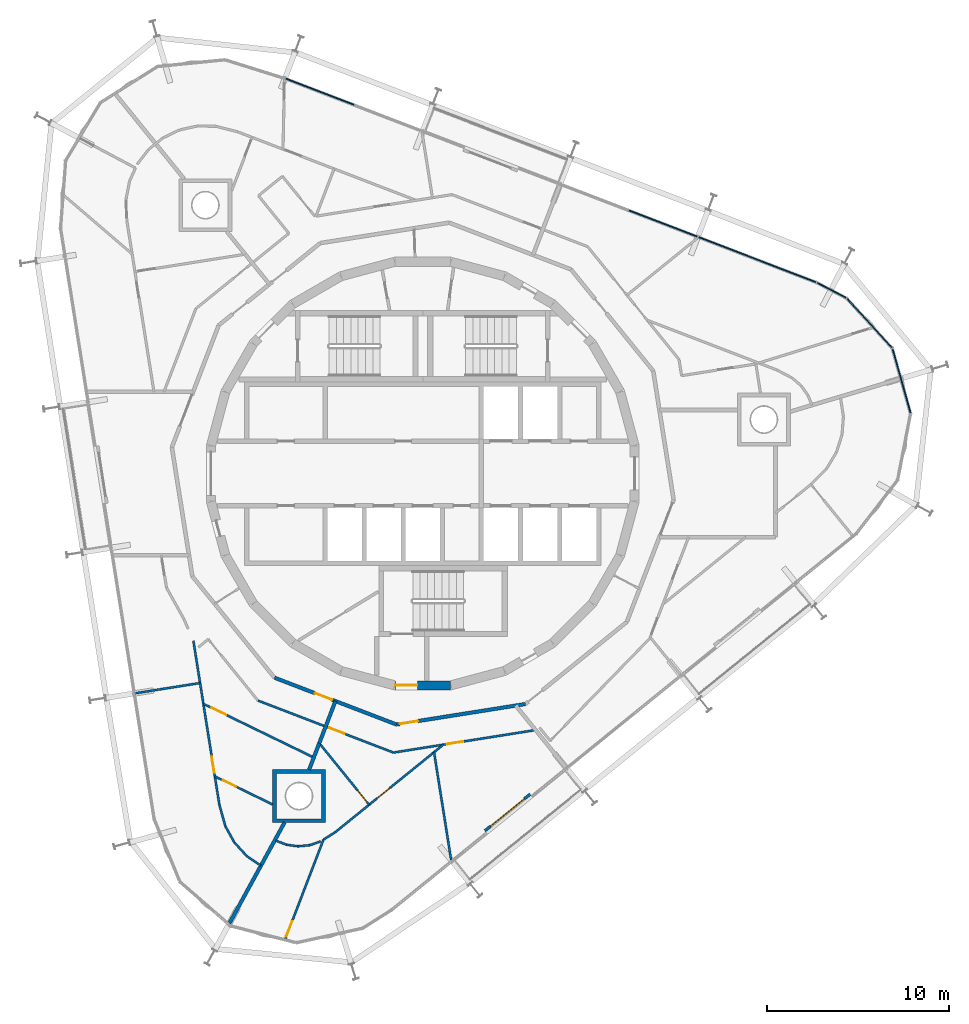
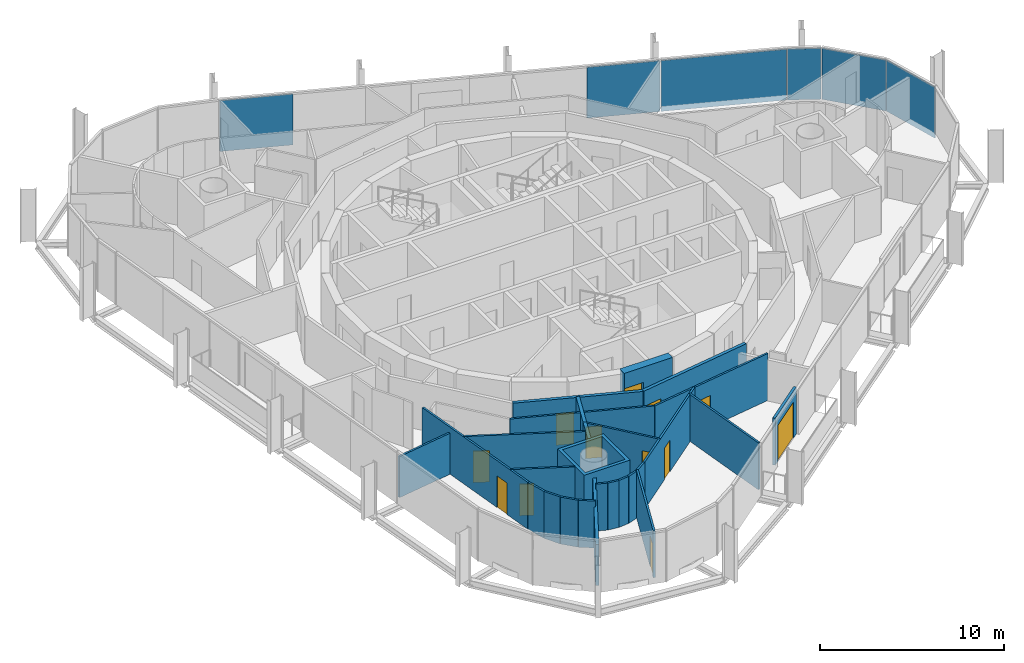
# One storey, part 11 of 17: 27 walls, 12 doors, 6 plates, 12 openings, 2 elements without a shape of their own.
"""IFC4 building model written with IfcOpenShell, lengths in metres."""

from ifc_helpers import new_model, si_unit, direction, frame, frame_2d, origin, origin_2d, place, context, subcontext, project, spatial, polyline, rectangle, outline, extrude, material, layer, layer_set, type_object, element, fill, aggregate, save


model = new_model("IFC4")

# Units and contexts
model_context = context("Model", 3, precision=1e-05, world=origin(), true_north=direction((0.0, 1.0)))
body_context = subcontext(model_context, "Body", "Model", "MODEL_VIEW")
ifc_project = project(units=[si_unit("LENGTHUNIT", "METRE"), si_unit("AREAUNIT", "SQUARE_METRE"), si_unit("VOLUMEUNIT", "CUBIC_METRE"), si_unit("PLANEANGLEUNIT", "RADIAN"), si_unit("MASSUNIT", "GRAM", prefix="KILO")], contexts=[model_context])

# Site, building, storey
site_placement = place(None, origin())
site = spatial("IfcSite", under=ifc_project, at=site_placement, CompositionType="ELEMENT")
building_placement = place(site_placement, origin())
building = spatial("IfcBuilding", under=site, at=building_placement, Name="Spindle Arch Residences", CompositionType="ELEMENT")
storey_placement = place(building_placement, frame((0.0, 0.0, 284.39990234375)))
storey = spatial("IfcBuildingStorey", under=building, at=storey_placement, Name="L73", CompositionType="ELEMENT", Elevation=284.39990234375)

# Curtain wall, plates
ifc_material_1 = material(Name="Aluminium bronze unitised frame with tinted glass", Category="aluminium")
ifc_layer_1 = layer(ifc_material_1, 0.159912109375)
ifc_layer_set_1 = layer_set([ifc_layer_1], Name="CW-D corner wall on the fillet arcs")
curtain_wall_type_1 = type_object("IfcCurtainWallType", Name="CW-D corner wall on the fillet arcs", PredefinedType="NOTDEFINED", material=ifc_layer_set_1)
curtain_wall_1_placement = place(storey_placement, origin())
curtain_wall_1 = element("IfcCurtainWall", 1, at=curtain_wall_1_placement, inside=storey, type_object=curtain_wall_type_1, Name="CW-D L73 run 1", PredefinedType="NOTDEFINED")
ifc_material_2 = material(Name="Tinted double glazing over non-combustible spandrel zone with 0.55 mm stainless steel cavity fire stop (K0)", Category="steel")
ifc_layer_2 = layer(ifc_material_2, 0.070068359375)
ifc_layer_set_2 = layer_set([ifc_layer_2], Name="Unitised glass panel with spandrel zone and stainless cavity fire stop")
plate_type = type_object("IfcPlateType", Name="Unitised glass panel with spandrel zone and stainless cavity fire stop", PredefinedType="CURTAIN_PANEL", material=ifc_layer_set_2)
plate_1_placement = place(storey_placement, frame((26.32958984375, 5.09423828125, -0.3798828125), z_axis=(0.0, 0.0, 1.0), x_axis=(-0.270040328007, 0.962849012696, 0.0)))
plate_1 = element("IfcPlate", 2, at=plate_1_placement, type_object=plate_type, Name="CW-D unit 03", PredefinedType="CURTAIN_PANEL", context=body_context, shape_type="SweptSolid", body=[
    extrude(rectangle(XDim=3.666748046875, YDim=0.070068359375, at=origin_2d()), origin(), (0.0, 0.0, 1.0), 3.3798828125),
])
plate_2_placement = place(storey_placement, frame((24.571533203125, 8.265869140625, -0.3798828125), z_axis=(0.0, 0.0, 1.0), x_axis=(-0.673442702134, 0.73923942464, 0.0)))
plate_2 = element("IfcPlate", 3, at=plate_2_placement, type_object=plate_type, Name="CW-D unit 04", PredefinedType="CURTAIN_PANEL", context=body_context, shape_type="SweptSolid", body=[
    extrude(rectangle(XDim=3.666748046875, YDim=0.070068359375, at=origin_2d()), origin(), (0.0, 0.0, 1.0), 3.3798828125),
])
plate_3_placement = place(storey_placement, frame((22.48583984375, 10.078857421875, -0.3798828125), z_axis=(0.0, 0.0, 1.0), x_axis=(-0.885663912754, 0.464326860783, 0.0)))
plate_3 = element("IfcPlate", 4, at=plate_3_placement, type_object=plate_type, Name="CW-D unit 05", PredefinedType="CURTAIN_PANEL", context=body_context, shape_type="SweptSolid", body=[
    extrude(rectangle(XDim=1.816162109375, YDim=0.070068359375, at=origin_2d()), origin(), (0.0, 0.0, 1.0), 3.3798828125),
])
plate_4_placement = place(storey_placement, frame((18.392333984375, 11.76708984375, -0.3798828125), z_axis=(0.0, 0.0, 1.0), x_axis=(-0.933580426497, 0.358367949545, 0.0)))
plate_4 = element("IfcPlate", 5, at=plate_4_placement, type_object=plate_type, Name="CW-D unit 06", PredefinedType="CURTAIN_PANEL", context=body_context, shape_type="SweptSolid", body=[
    extrude(rectangle(XDim=6.9296875, YDim=0.070068359375, at=origin_2d()), origin(), (0.0, 0.0, 1.0), 3.3798828125),
])
aggregate(curtain_wall_1, [plate_1, plate_2, plate_3, plate_4])

ifc_material_3 = material(Name="Aluminium bronze unitised frame with tinted glass", Category="aluminium")
ifc_layer_3 = layer(ifc_material_3, 0.159912109375)
ifc_layer_set_3 = layer_set([ifc_layer_3], Name="CW-C typical residential unitised wall")
curtain_wall_type_2 = type_object("IfcCurtainWallType", Name="CW-C typical residential unitised wall", PredefinedType="NOTDEFINED", material=ifc_layer_set_3)
curtain_wall_2_placement = place(storey_placement, origin())
curtain_wall_2 = element("IfcCurtainWall", 6, at=curtain_wall_2_placement, inside=storey, type_object=curtain_wall_type_2, Name="CW-C L73 run 2", PredefinedType="NOTDEFINED")
plate_5_placement = place(storey_placement, frame((13.22314453125, 13.751220703125, -0.3798828125), z_axis=(0.0, 0.0, 1.0), x_axis=(-0.933580426497, 0.358367949545, 0.0)))
plate_5 = element("IfcPlate", 7, at=plate_5_placement, type_object=plate_type, Name="CW-C unit 05A", PredefinedType="CURTAIN_PANEL", context=body_context, shape_type="SweptSolid", body=[
    extrude(rectangle(XDim=4.023681640625, YDim=0.070068359375, at=origin_2d()), origin(), (0.0, 0.0, 1.0), 3.3798828125),
])
plate_6_placement = place(storey_placement, frame((-5.67138671875, 21.004150390625, -0.3798828125), z_axis=(0.0, 0.0, 1.0), x_axis=(-0.933580426497, 0.358367949545, 0.0)))
plate_6 = element("IfcPlate", 8, at=plate_6_placement, type_object=plate_type, Name="CW-C unit 07B", PredefinedType="CURTAIN_PANEL", context=body_context, shape_type="SweptSolid", body=[
    extrude(rectangle(XDim=4.023681640625, YDim=0.070068359375, at=origin_2d()), origin(), (0.0, 0.0, 1.0), 3.3798828125),
])
aggregate(curtain_wall_2, [plate_5, plate_6])

# Wall, opening, door
ifc_material_4 = material(Name="Concrete C50/60", Category="concrete")
ifc_layer_4 = layer(ifc_material_4, 0.5)
ifc_layer_set_4 = layer_set([ifc_layer_4], Name="Core outline wall 500")
wall_type_1 = type_object("IfcWallType", Name="Core outline wall 500", PredefinedType="SHEAR", material=ifc_layer_set_4)
wall_1_placement = place(storey_placement, frame((-1.516357421875, -11.647216796875, 0.0), z_axis=(0.0, 0.0, 1.0), x_axis=(1.0, 0.0, 0.0)))
wall_1 = element("IfcWall", 9, at=wall_1_placement, inside=storey, type_object=wall_type_1, Name="Core outline wall 24", PredefinedType="SHEAR", context=body_context, shape_type="SweptSolid", body=[
    extrude(rectangle(XDim=3.03271484375, YDim=0.5, at=frame_2d((1.516357421875, 0.0))), origin(), (0.0, 0.0, 1.0), 3.1201171875),
])
opening_1_placement = place(wall_1_placement, frame((0.016357421875, 0.0, 0.0)))
opening_1 = element("IfcOpeningElement", 10, at=opening_1_placement, cuts=wall_1, Name="Opening R7C0-AD03", PredefinedType="OPENING", context=body_context, shape_type="SweptSolid", body=[
    extrude(rectangle(XDim=1.199951171875, YDim=2.10009765625, at=frame_2d((0.60009765625, 1.050048828125))), frame((0.0, 0.260009765625, 0.0), z_axis=(0.0, -1.0, 0.0), x_axis=(1.0, 0.0, 0.0)), (0.0, 0.0, 1.0), 0.52001953125),
])
ifc_material_5 = material(Name="Steel, fire-resisting door", Category="steel")
door_type_1 = type_object("IfcDoorType", Name="Stair airlock door 1200x2100", OperationType="SINGLE_SWING_LEFT", PredefinedType="DOOR", material=ifc_material_5)
door_1_placement = place(opening_1_placement, origin())
door_1 = element("IfcDoor", 11, at=door_1_placement, inside=storey, type_object=door_type_1, Name="Stair airlock door R7C0-AD03", OperationType="SINGLE_SWING_RIGHT", OverallHeight=2.10009765625, OverallWidth=1.199951171875, PredefinedType="DOOR", context=body_context, shape_type="SweptSolid", body=[
    extrude(rectangle(XDim=1.199951171875, YDim=2.10009765625, at=frame_2d((0.60009765625, 1.050048828125))), frame((0.0, 0.02490234375, 0.0), z_axis=(0.0, -1.0, 0.0), x_axis=(1.0, 0.0, 0.0)), (0.0, 0.0, 1.0), 0.050048828125),
])
fill(opening_1, door_1)

ifc_material_6 = material(Name="Calcium silicate block, plastered")
ifc_layer_5 = layer(ifc_material_6, 0.199951171875)
ifc_layer_set_5 = layer_set([ifc_layer_5], Name="Corridor wall 200")
wall_type_2 = type_object("IfcWallType", Name="Corridor wall 200", PredefinedType="STANDARD", material=ifc_layer_set_5)
wall_2_placement = place(storey_placement, frame((-8.154296875, -11.223388671875, 0.0), z_axis=(0.0, 0.0, 1.0), x_axis=(0.93359073609, -0.358341090983, 0.0)))
wall_2 = element("IfcWall", 12, at=wall_2_placement, inside=storey, type_object=wall_type_2, Name="Corridor wall R7C0-W013", PredefinedType="STANDARD", context=body_context, shape_type="SweptSolid", body=[
    extrude(rectangle(XDim=7.180908203125, YDim=0.199951171875, at=frame_2d((3.59033203125, 0.0))), origin(), (0.0, 0.0, 1.0), 3.1201171875),
])
opening_2_placement = place(wall_2_placement, frame((2.390380859375, 0.0, 0.0)))
opening_2 = element("IfcOpeningElement", 13, at=opening_2_placement, cuts=wall_2, Name="Opening R7C0-FD04", PredefinedType="OPENING", context=body_context, shape_type="SweptSolid", body=[
    extrude(rectangle(XDim=1.0, YDim=2.10009765625, at=frame_2d((0.5, 1.050048828125))), frame((0.0, 0.10986328125, 0.0), z_axis=(0.0, -1.0, 0.0), x_axis=(1.0, 0.0, 0.0)), (0.0, 0.0, 1.0), 0.219970703125),
])
ifc_material_7 = material(Name="Timber, fire-resisting door set", Category="wood")
door_type_2 = type_object("IfcDoorType", Name="Flat entrance door 1000x2100", OperationType="NOTDEFINED", PredefinedType="DOOR", material=ifc_material_7)
door_2_placement = place(opening_2_placement, origin())
door_2 = element("IfcDoor", 14, at=door_2_placement, inside=storey, type_object=door_type_2, Name="Flat entrance door R7C0-FD04", OperationType="SINGLE_SWING_RIGHT", OverallHeight=2.10009765625, OverallWidth=1.0, PredefinedType="DOOR", context=body_context, shape_type="SweptSolid", body=[
    extrude(rectangle(XDim=1.0, YDim=2.10009765625, at=frame_2d((0.5, 1.050048828125))), frame((0.0, 0.02490234375, 0.0), z_axis=(0.0, -1.0, 0.0), x_axis=(1.0, 0.0, 0.0)), (0.0, 0.0, 1.0), 0.050048828125),
])
fill(opening_2, door_2)

wall_3_placement = place(storey_placement, frame((-1.4501953125, -13.796630859375, 0.0), z_axis=(0.0, 0.0, 1.0), x_axis=(0.987690361611, 0.156421704315, 0.0)))
wall_3 = element("IfcWall", 15, at=wall_3_placement, inside=storey, type_object=wall_type_2, Name="Corridor wall R7C0-W014", PredefinedType="STANDARD", context=body_context, shape_type="SweptSolid", body=[
    extrude(rectangle(XDim=7.18115234375, YDim=0.199951171875, at=frame_2d((3.590576171875, 0.0))), origin(), (0.0, 0.0, 1.0), 3.1201171875),
])
opening_3_placement = place(wall_3_placement, frame((0.199951171875, 0.0, 0.0)))
opening_3 = element("IfcOpeningElement", 16, at=opening_3_placement, cuts=wall_3, Name="Opening R7C0-FD05", PredefinedType="OPENING", context=body_context, shape_type="SweptSolid", body=[
    extrude(rectangle(XDim=1.0, YDim=2.10009765625, at=frame_2d((0.5, 1.050048828125))), frame((0.0, 0.10986328125, 0.0), z_axis=(0.0, -1.0, 0.0), x_axis=(1.0, 0.0, 0.0)), (0.0, 0.0, 1.0), 0.219970703125),
])
door_3_placement = place(opening_3_placement, origin())
door_3 = element("IfcDoor", 17, at=door_3_placement, inside=storey, type_object=door_type_2, Name="Flat entrance door R7C0-FD05", OperationType="SINGLE_SWING_LEFT", OverallHeight=2.10009765625, OverallWidth=1.0, PredefinedType="DOOR", context=body_context, shape_type="SweptSolid", body=[
    extrude(rectangle(XDim=1.0, YDim=2.10009765625, at=frame_2d((0.5, 1.050048828125))), frame((0.0, 0.02490234375, 0.0), z_axis=(0.0, -1.0, 0.0), x_axis=(1.0, 0.0, 0.0)), (0.0, 0.0, 1.0), 0.050048828125),
])
fill(opening_3, door_3)

ifc_material_8 = material(Name="Plasterboard on steel studs", Category="steel")
ifc_layer_6 = layer(ifc_material_8, 0.1201171875)
ifc_layer_set_6 = layer_set([ifc_layer_6], Name="Flat partition 120")
wall_type_3 = type_object("IfcWallType", Name="Flat partition 120", PredefinedType="PARTITIONING", material=ifc_layer_set_6)
wall_4_placement = place(storey_placement, frame((-9.06689453125, -12.4794921875, 0.0), z_axis=(0.0, 0.0, 1.0), x_axis=(0.933579449035, -0.358370495911, 0.0)))
wall_4 = element("IfcWall", 18, at=wall_4_placement, inside=storey, type_object=wall_type_3, Name="Flat partition R7C0-W072", PredefinedType="PARTITIONING", context=body_context, shape_type="SweptSolid", body=[
    extrude(rectangle(XDim=7.98486328125, YDim=0.1201171875, at=frame_2d((3.992431640625, 0.0))), origin(), (0.0, 0.0, 1.0), 3.1201171875),
])
opening_4_placement = place(wall_4_placement, frame((4.1923828125, 0.0, 0.0)))
opening_4 = element("IfcOpeningElement", 19, at=opening_4_placement, cuts=wall_4, Name="Opening R7C0-ID17", PredefinedType="OPENING", context=body_context, shape_type="SweptSolid", body=[
    extrude(rectangle(XDim=0.89990234375, YDim=2.10009765625, at=frame_2d((0.449951171875, 1.050048828125))), frame((0.0, 0.070068359375, 0.0), z_axis=(0.0, -1.0, 0.0), x_axis=(1.0, 0.0, 0.0)), (0.0, 0.0, 1.0), 0.14013671875),
])
ifc_material_9 = material(Name="Timber door set", Category="wood")
door_type_3 = type_object("IfcDoorType", Name="Room door 900x2100", OperationType="NOTDEFINED", PredefinedType="DOOR", material=ifc_material_9)
door_4_placement = place(opening_4_placement, origin())
door_4 = element("IfcDoor", 20, at=door_4_placement, inside=storey, type_object=door_type_3, Name="Room door R7C0-ID17", OperationType="SINGLE_SWING_RIGHT", OverallHeight=2.10009765625, OverallWidth=0.89990234375, PredefinedType="DOOR", context=body_context, shape_type="SweptSolid", body=[
    extrude(rectangle(XDim=0.89990234375, YDim=2.10009765625, at=frame_2d((0.449951171875, 1.050048828125))), frame((0.0, 0.02490234375, 0.0), z_axis=(0.0, -1.0, 0.0), x_axis=(1.0, 0.0, 0.0)), (0.0, 0.0, 1.0), 0.050048828125),
])
fill(opening_4, door_4)

wall_5_placement = place(storey_placement, frame((-11.185302734375, -18.212890625, 0.0), z_axis=(0.0, 0.0, 1.0), x_axis=(-0.15642108221, 0.987690460134, 0.0)))
wall_5 = element("IfcWall", 21, at=wall_5_placement, inside=storey, type_object=wall_type_3, Name="Flat partition R7C0-W073", PredefinedType="PARTITIONING", context=body_context, shape_type="SweptSolid", body=[
    extrude(rectangle(XDim=9.132080078125, YDim=0.1201171875, at=frame_2d((4.56591796875, 0.0))), origin(), (0.0, 0.0, 1.0), 3.1201171875),
])
opening_5_placement = place(wall_5_placement, frame((1.781005859375, 0.0, 0.0)))
opening_5 = element("IfcOpeningElement", 22, at=opening_5_placement, cuts=wall_5, Name="Opening R7C0-ID16", PredefinedType="OPENING", context=body_context, shape_type="SweptSolid", body=[
    extrude(rectangle(XDim=0.89990234375, YDim=2.10009765625, at=frame_2d((0.449951171875, 1.050048828125))), frame((0.0, 0.070068359375, 0.0), z_axis=(0.0, -1.0, 0.0), x_axis=(1.0, 0.0, 0.0)), (0.0, 0.0, 1.0), 0.14013671875),
])
door_5_placement = place(opening_5_placement, origin())
door_5 = element("IfcDoor", 23, at=door_5_placement, inside=storey, type_object=door_type_3, Name="Room door R7C0-ID16", OperationType="SINGLE_SWING_RIGHT", OverallHeight=2.10009765625, OverallWidth=0.89990234375, PredefinedType="DOOR", context=body_context, shape_type="SweptSolid", body=[
    extrude(rectangle(XDim=0.89990234375, YDim=2.10009765625, at=frame_2d((0.449951171875, 1.050048828125))), frame((0.0, 0.02490234375, 0.0), z_axis=(0.0, -1.0, 0.0), x_axis=(1.0, 0.0, 0.0)), (0.0, 0.0, 1.0), 0.050048828125),
])
fill(opening_5, door_5)

wall_6_placement = place(storey_placement, frame((-12.064453125, -12.662109375, 0.0), z_axis=(0.0, 0.0, 1.0), x_axis=(0.899383852228, -0.437159794985, 0.0)))
wall_6 = element("IfcWall", 24, at=wall_6_placement, inside=storey, type_object=wall_type_3, Name="Flat partition R7C0-W075", PredefinedType="PARTITIONING", context=body_context, shape_type="SweptSolid", body=[
    extrude(rectangle(XDim=6.750244140625, YDim=0.1201171875, at=frame_2d((3.375, 0.0))), origin(), (0.0, 0.0, 1.0), 3.1201171875),
])
opening_6_placement = place(wall_6_placement, frame((0.5, 0.0, 0.0)))
opening_6 = element("IfcOpeningElement", 25, at=opening_6_placement, cuts=wall_6, Name="Opening R7C0-ID15", PredefinedType="OPENING", context=body_context, shape_type="SweptSolid", body=[
    extrude(rectangle(XDim=0.89990234375, YDim=2.10009765625, at=frame_2d((0.449951171875, 1.050048828125))), frame((0.0, 0.070068359375, 0.0), z_axis=(0.0, -1.0, 0.0), x_axis=(1.0, 0.0, 0.0)), (0.0, 0.0, 1.0), 0.14013671875),
])
door_6_placement = place(opening_6_placement, origin())
door_6 = element("IfcDoor", 26, at=door_6_placement, inside=storey, type_object=door_type_3, Name="Room door R7C0-ID15", OperationType="SINGLE_SWING_RIGHT", OverallHeight=2.10009765625, OverallWidth=0.89990234375, PredefinedType="DOOR", context=body_context, shape_type="SweptSolid", body=[
    extrude(rectangle(XDim=0.89990234375, YDim=2.10009765625, at=frame_2d((0.449951171875, 1.050048828125))), frame((0.0, 0.02490234375, 0.0), z_axis=(0.0, -1.0, 0.0), x_axis=(1.0, 0.0, 0.0)), (0.0, 0.0, 1.0), 0.050048828125),
])
fill(opening_6, door_6)

# Walls
wall_7_placement = place(storey_placement, frame((-8.901611328125, -21.563720703125, 0.0), z_axis=(0.0, 0.0, 1.0), x_axis=(-0.825676933813, 0.56414324508, 0.0)))
element("IfcWall", 27, at=wall_7_placement, inside=storey, type_object=wall_type_3, Name="Flat partition R7C0-W076", PredefinedType="PARTITIONING", context=body_context, shape_type="SweptSolid", body=[
    extrude(rectangle(XDim=0.939208984375, YDim=0.1201171875, at=frame_2d((0.4697265625, 0.0))), origin(), (0.0, 0.0, 1.0), 3.1201171875),
])
for number, where, z_axis, x_axis, name in (
    (28, (-9.677001953125, -21.033935546875, 0.0), (0.0, 0.0, 1.0), (-0.673545431899, 0.739145825374, 0.0), "Flat partition R7C0-W077"),
    (29, (-10.361328125, -20.282958984375, 0.0), (0.0, 0.0, 1.0), (-0.484867525198, 0.874587607394, 0.0), "Flat partition R7C0-W078"),
):
    element("IfcWall", number, at=place(storey_placement, frame(where, z_axis=z_axis, x_axis=x_axis)), inside=storey, type_object=wall_type_3, Name=name, PredefinedType="PARTITIONING", context=body_context, shape_type="SweptSolid", body=[
        extrude(rectangle(XDim=1.01611328125, YDim=0.1201171875, at=frame_2d((0.508056640625, 0.0))), origin(), (0.0, 0.0, 1.0), 3.1201171875),
    ])
wall_8_placement = place(storey_placement, frame((-10.85400390625, -19.394287109375, 0.0), z_axis=(0.0, 0.0, 1.0), x_axis=(-0.27001369034, 0.96285648309, 0.0)))
element("IfcWall", 30, at=wall_8_placement, inside=storey, type_object=wall_type_3, Name="Flat partition R7C0-W079", PredefinedType="PARTITIONING", context=body_context, shape_type="SweptSolid", body=[
    extrude(rectangle(XDim=1.22705078125, YDim=0.1201171875, at=frame_2d((0.613525390625, 0.0))), origin(), (0.0, 0.0, 1.0), 3.1201171875),
])

# Wall, opening, door
wall_9_placement = place(storey_placement, frame((-11.4326171875, -16.6513671875, 0.0), z_axis=(0.0, 0.0, 1.0), x_axis=(0.899390128806, -0.437146881731, 0.0)))
wall_9 = element("IfcWall", 31, at=wall_9_placement, inside=storey, type_object=wall_type_3, Name="Flat partition R7C0-W080", PredefinedType="PARTITIONING", context=body_context, shape_type="SweptSolid", body=[
    extrude(rectangle(XDim=3.53125, YDim=0.1201171875, at=frame_2d((1.765625, 0.0))), origin(), (0.0, 0.0, 1.0), 3.1201171875),
])
opening_7_placement = place(wall_9_placement, frame((0.5, 0.0, 0.0)))
opening_7 = element("IfcOpeningElement", 32, at=opening_7_placement, cuts=wall_9, Name="Opening R7C0-BD04", PredefinedType="OPENING", context=body_context, shape_type="SweptSolid", body=[
    extrude(rectangle(XDim=0.800048828125, YDim=2.10009765625, at=frame_2d((0.39990234375, 1.050048828125))), frame((0.0, 0.070068359375, 0.0), z_axis=(0.0, -1.0, 0.0), x_axis=(1.0, 0.0, 0.0)), (0.0, 0.0, 1.0), 0.14013671875),
])
ifc_material_10 = material(Name="Timber door set", Category="wood")
door_type_4 = type_object("IfcDoorType", Name="Bathroom door 800x2100", OperationType="NOTDEFINED", PredefinedType="DOOR", material=ifc_material_10)
door_7_placement = place(opening_7_placement, origin())
door_7 = element("IfcDoor", 33, at=door_7_placement, inside=storey, type_object=door_type_4, Name="Bathroom door R7C0-BD04", OperationType="SINGLE_SWING_RIGHT", OverallHeight=2.10009765625, OverallWidth=0.800048828125, PredefinedType="DOOR", context=body_context, shape_type="SweptSolid", body=[
    extrude(rectangle(XDim=0.800048828125, YDim=2.10009765625, at=frame_2d((0.39990234375, 1.050048828125))), frame((0.0, 0.02490234375, 0.0), z_axis=(0.0, -1.0, 0.0), x_axis=(1.0, 0.0, 0.0)), (0.0, 0.0, 1.0), 0.050048828125),
])
fill(opening_7, door_7)

wall_10_placement = place(storey_placement, frame((-1.6123046875, -15.341064453125, 0.0), z_axis=(0.0, 0.0, 1.0), x_axis=(0.987687560018, 0.15643939333, 0.0)))
wall_10 = element("IfcWall", 34, at=wall_10_placement, inside=storey, type_object=wall_type_3, Name="Flat partition R7C0-W081", PredefinedType="PARTITIONING", context=body_context, shape_type="SweptSolid", body=[
    extrude(rectangle(XDim=7.913818359375, YDim=0.1201171875, at=frame_2d((3.95703125, 0.0))), origin(), (0.0, 0.0, 1.0), 3.1201171875),
])
opening_8_placement = place(wall_10_placement, frame((2.97802734375, 0.0, 0.0)))
opening_8 = element("IfcOpeningElement", 35, at=opening_8_placement, cuts=wall_10, Name="Opening R7C0-ID18", PredefinedType="OPENING", context=body_context, shape_type="SweptSolid", body=[
    extrude(rectangle(XDim=0.89990234375, YDim=2.10009765625, at=frame_2d((0.449951171875, 1.050048828125))), frame((0.0, 0.070068359375, 0.0), z_axis=(0.0, -1.0, 0.0), x_axis=(1.0, 0.0, 0.0)), (0.0, 0.0, 1.0), 0.14013671875),
])
door_8_placement = place(opening_8_placement, origin())
door_8 = element("IfcDoor", 36, at=door_8_placement, inside=storey, type_object=door_type_3, Name="Room door R7C0-ID18", OperationType="SINGLE_SWING_LEFT", OverallHeight=2.10009765625, OverallWidth=0.89990234375, PredefinedType="DOOR", context=body_context, shape_type="SweptSolid", body=[
    extrude(rectangle(XDim=0.89990234375, YDim=2.10009765625, at=frame_2d((0.449951171875, 1.050048828125))), frame((0.0, 0.02490234375, 0.0), z_axis=(0.0, -1.0, 0.0), x_axis=(1.0, 0.0, 0.0)), (0.0, 0.0, 1.0), 0.050048828125),
])
fill(opening_8, door_8)

# Walls
wall_11_placement = place(storey_placement, frame((-5.609130859375, -20.223388671875, 0.0), z_axis=(0.0, 0.0, 1.0), x_axis=(-0.945401267449, -0.325908642882, 0.0)))
element("IfcWall", 37, at=wall_11_placement, inside=storey, type_object=wall_type_3, Name="Flat partition R7C0-W082", PredefinedType="PARTITIONING", context=body_context, shape_type="SweptSolid", body=[
    extrude(rectangle(XDim=0.64208984375, YDim=0.1201171875, at=frame_2d((0.321044921875, 0.0))), origin(), (0.0, 0.0, 1.0), 3.1201171875),
])
for number, where, z_axis, x_axis, name in (
    (38, (-6.216064453125, -20.4326171875, 0.0), (0.0, 0.0, 1.0), (-0.99513463391, -0.098524415207, 0.0), "Flat partition R7C0-W083"),
    (39, (-6.854736328125, -20.495849609375, 0.0), (0.0, 0.0, 1.0), (-0.991101230536, 0.133110295736, 0.0), "Flat partition R7C0-W084"),
    (40, (-7.490966796875, -20.410400390625, 0.0), (0.0, 0.0, 1.0), (-0.933453403881, 0.35869867965, 0.0), "Flat partition R7C0-W085"),
):
    element("IfcWall", number, at=place(storey_placement, frame(where, z_axis=z_axis, x_axis=x_axis)), inside=storey, type_object=wall_type_3, Name=name, PredefinedType="PARTITIONING", context=body_context, shape_type="SweptSolid", body=[
        extrude(rectangle(XDim=0.641845703125, YDim=0.1201171875, at=frame_2d((0.32080078125, 0.0))), origin(), (0.0, 0.0, 1.0), 3.1201171875),
    ])

# Wall, opening, door
wall_12_placement = place(storey_placement, frame((-7.57861328125, -25.6455078125, 0.0), z_axis=(0.0, 0.0, 1.0), x_axis=(0.358336526264, 0.933592488158, 0.0)))
wall_12 = element("IfcWall", 41, at=wall_12_placement, inside=storey, type_object=wall_type_3, Name="Flat partition R7C0-W086", PredefinedType="PARTITIONING", context=body_context, shape_type="SweptSolid", body=[
    extrude(rectangle(XDim=5.90771484375, YDim=0.1201171875, at=frame_2d((2.953857421875, 0.0))), origin(), (0.0, 0.0, 1.0), 3.1201171875),
])
opening_9_placement = place(wall_12_placement, frame((0.199951171875, 0.0, 0.0)))
opening_9 = element("IfcOpeningElement", 42, at=opening_9_placement, cuts=wall_12, Name="Opening R7C0-ID20", PredefinedType="OPENING", context=body_context, shape_type="SweptSolid", body=[
    extrude(rectangle(XDim=0.89990234375, YDim=2.10009765625, at=frame_2d((0.449951171875, 1.050048828125))), frame((0.0, 0.070068359375, 0.0), z_axis=(0.0, -1.0, 0.0), x_axis=(1.0, 0.0, 0.0)), (0.0, 0.0, 1.0), 0.14013671875),
])
door_9_placement = place(opening_9_placement, origin())
door_9 = element("IfcDoor", 43, at=door_9_placement, inside=storey, type_object=door_type_3, Name="Room door R7C0-ID20", OperationType="SINGLE_SWING_LEFT", OverallHeight=2.10009765625, OverallWidth=0.89990234375, PredefinedType="DOOR", context=body_context, shape_type="SweptSolid", body=[
    extrude(rectangle(XDim=0.89990234375, YDim=2.10009765625, at=frame_2d((0.449951171875, 1.050048828125))), frame((0.0, 0.02490234375, 0.0), z_axis=(0.0, -1.0, 0.0), x_axis=(1.0, 0.0, 0.0)), (0.0, 0.0, 1.0), 0.050048828125),
])
fill(opening_9, door_9)

wall_13_placement = place(storey_placement, frame((-2.9482421875, -18.210205078125, 0.0), z_axis=(0.0, 0.0, 1.0), x_axis=(-0.629330389268, 0.777137864953, 0.0)))
wall_13 = element("IfcWall", 44, at=wall_13_placement, inside=storey, type_object=wall_type_3, Name="Flat partition R7C0-W087", PredefinedType="PARTITIONING", context=body_context, shape_type="SweptSolid", body=[
    extrude(rectangle(XDim=4.357421875, YDim=0.1201171875, at=frame_2d((2.1787109375, 0.0))), origin(), (0.0, 0.0, 1.0), 3.1201171875),
])
opening_10_placement = place(wall_13_placement, frame((0.199951171875, 0.0, 0.0)))
opening_10 = element("IfcOpeningElement", 45, at=opening_10_placement, cuts=wall_13, Name="Opening R7C0-BD05", PredefinedType="OPENING", context=body_context, shape_type="SweptSolid", body=[
    extrude(rectangle(XDim=0.800048828125, YDim=2.10009765625, at=frame_2d((0.39990234375, 1.050048828125))), frame((0.0, 0.070068359375, 0.0), z_axis=(0.0, -1.0, 0.0), x_axis=(1.0, 0.0, 0.0)), (0.0, 0.0, 1.0), 0.14013671875),
])
door_10_placement = place(opening_10_placement, origin())
door_10 = element("IfcDoor", 46, at=door_10_placement, inside=storey, type_object=door_type_4, Name="Bathroom door R7C0-BD05", OperationType="SINGLE_SWING_LEFT", OverallHeight=2.10009765625, OverallWidth=0.800048828125, PredefinedType="DOOR", context=body_context, shape_type="SweptSolid", body=[
    extrude(rectangle(XDim=0.800048828125, YDim=2.10009765625, at=frame_2d((0.39990234375, 1.050048828125))), frame((0.0, 0.02490234375, 0.0), z_axis=(0.0, -1.0, 0.0), x_axis=(1.0, 0.0, 0.0)), (0.0, 0.0, 1.0), 0.050048828125),
])
fill(opening_10, door_10)

# Wall
wall_14_placement = place(storey_placement, frame((-5.461669921875, -20.130126953125, 0.0), z_axis=(0.0, 0.0, 1.0), x_axis=(0.84494764883, 0.534849016768, 0.0)))
element("IfcWall", 47, at=wall_14_placement, inside=storey, type_object=wall_type_3, Name="Flat partition R7C0-W088", PredefinedType="PARTITIONING", context=body_context, shape_type="SweptSolid", body=[
    extrude(rectangle(XDim=0.7724609375, YDim=0.1201171875, at=frame_2d((0.38623046875, 0.0))), origin(), (0.0, 0.0, 1.0), 3.1201171875),
])

# Wall, opening, door
wall_15_placement = place(storey_placement, frame((-4.80908203125, -19.717041015625, 0.0), z_axis=(0.0, 0.0, 1.0), x_axis=(0.777140730041, 0.629326851255, 0.0)))
wall_15 = element("IfcWall", 48, at=wall_15_placement, inside=storey, type_object=wall_type_3, Name="Flat partition R7C0-W089", PredefinedType="PARTITIONING", context=body_context, shape_type="SweptSolid", body=[
    extrude(rectangle(XDim=7.64404296875, YDim=0.1201171875, at=frame_2d((3.822021484375, 0.0))), origin(), (0.0, 0.0, 1.0), 3.1201171875),
])
opening_11_placement = place(wall_15_placement, frame((2.954345703125, 0.0, 0.0)))
opening_11 = element("IfcOpeningElement", 49, at=opening_11_placement, cuts=wall_15, Name="Opening R7C0-ID19", PredefinedType="OPENING", context=body_context, shape_type="SweptSolid", body=[
    extrude(rectangle(XDim=0.89990234375, YDim=2.10009765625, at=frame_2d((0.449951171875, 1.050048828125))), frame((0.0, 0.070068359375, 0.0), z_axis=(0.0, -1.0, 0.0), x_axis=(1.0, 0.0, 0.0)), (0.0, 0.0, 1.0), 0.14013671875),
])
door_11_placement = place(opening_11_placement, origin())
door_11 = element("IfcDoor", 50, at=door_11_placement, inside=storey, type_object=door_type_3, Name="Room door R7C0-ID19", OperationType="SINGLE_SWING_LEFT", OverallHeight=2.10009765625, OverallWidth=0.89990234375, PredefinedType="DOOR", context=body_context, shape_type="SweptSolid", body=[
    extrude(rectangle(XDim=0.89990234375, YDim=2.10009765625, at=frame_2d((0.449951171875, 1.050048828125))), frame((0.0, 0.02490234375, 0.0), z_axis=(0.0, -1.0, 0.0), x_axis=(1.0, 0.0, 0.0)), (0.0, 0.0, 1.0), 0.050048828125),
])
fill(opening_11, door_11)

# Walls
wall_16_placement = place(storey_placement, frame((1.559814453125, -21.250732421875, 0.0), z_axis=(0.0, 0.0, 1.0), x_axis=(-0.156421913213, 0.987690328528, 0.0)))
element("IfcWall", 51, at=wall_16_placement, inside=storey, type_object=wall_type_3, Name="Flat partition R7C0-W090", PredefinedType="PARTITIONING", context=body_context, shape_type="SweptSolid", body=[
    extrude(rectangle(XDim=6.00439453125, YDim=0.1201171875, at=frame_2d((3.002197265625, 0.0))), origin(), (0.0, 0.0, 1.0), 3.1201171875),
])
ifc_material_11 = material(Name="Plasterboard on steel studs", Category="steel")
ifc_layer_7 = layer(ifc_material_11, 0.1201171875)
ifc_layer_set_7 = layer_set([ifc_layer_7], Name="Flat partition 120 under beam 2730")
wall_type_4 = type_object("IfcWallType", Name="Flat partition 120 under beam 2730", PredefinedType="PARTITIONING", material=ifc_layer_set_7)
wall_17_placement = place(storey_placement, frame((-15.801513671875, -12.07958984375, 0.0), z_axis=(0.0, 0.0, 1.0), x_axis=(0.987685312069, 0.156453585206, 0.0)))
element("IfcWall", 52, at=wall_17_placement, inside=storey, type_object=wall_type_4, Name="Flat partition R7C0-W074", PredefinedType="PARTITIONING", context=body_context, shape_type="SweptSolid", body=[
    extrude(rectangle(XDim=3.60009765625, YDim=0.1201171875, at=frame_2d((1.800048828125, 0.0))), origin(), (0.0, 0.0, 1.0), 2.72998046875),
])
ifc_material_12 = material(Name="Calcium silicate block, plastered")
ifc_layer_8 = layer(ifc_material_12, 0.199951171875)
ifc_layer_set_8 = layer_set([ifc_layer_8], Name="Flat party wall 200")
wall_type_5 = type_object("IfcWallType", Name="Flat party wall 200", PredefinedType="STANDARD", material=ifc_layer_set_8)
wall_18_placement = place(storey_placement, frame((-5.6904296875, -14.823974609375, 0.0), z_axis=(0.0, 0.0, 1.0), x_axis=(0.358345342952, 0.933589104041, 0.0)))
element("IfcWall", 53, at=wall_18_placement, inside=storey, type_object=wall_type_5, Name="Flat party wall R7C0-W027", PredefinedType="STANDARD", context=body_context, shape_type="SweptSolid", body=[
    extrude(rectangle(XDim=2.478515625, YDim=0.199951171875, at=frame_2d((1.2392578125, 0.0))), origin(), (0.0, 0.0, 1.0), 3.1201171875),
])
wall_19_placement = place(storey_placement, frame((-6.25, -16.28173828125, 0.0), z_axis=(0.0, 0.0, 1.0), x_axis=(0.358360842469, 0.933583154617, 0.0)))
element("IfcWall", 54, at=wall_19_placement, inside=storey, type_object=wall_type_5, Name="Flat party wall R7C0-W028", PredefinedType="STANDARD", context=body_context, shape_type="SweptSolid", body=[
    extrude(rectangle(XDim=1.5615234375, YDim=0.199951171875, at=frame_2d((0.78076171875, 0.0))), origin(), (0.0, 0.0, 1.0), 3.1201171875),
])
ifc_material_13 = material(Name="Calcium silicate block, plastered")
ifc_layer_9 = layer(ifc_material_13, 0.199951171875)
ifc_layer_set_9 = layer_set([ifc_layer_9], Name="Flat party wall 200 under beam 2730")
wall_type_6 = type_object("IfcWallType", Name="Flat party wall 200 under beam 2730", PredefinedType="STANDARD", material=ifc_layer_set_9)
wall_20_placement = place(storey_placement, frame((-10.636962890625, -24.738037109375, 0.0), z_axis=(0.0, 0.0, 1.0), x_axis=(0.479683887596, 0.877441375808, 0.0)))
element("IfcWall", 55, at=wall_20_placement, inside=storey, type_object=wall_type_6, Name="Flat party wall R7C0-W029", PredefinedType="STANDARD", context=body_context, shape_type="SweptSolid", body=[
    extrude(rectangle(XDim=6.33251953125, YDim=0.199951171875, at=frame_2d((3.166259765625, 0.0))), origin(), (0.0, 0.0, 1.0), 2.72998046875),
])

# Wall, opening, door
ifc_material_14 = material(Name="Non-combustible mineral wool insulated aluminium faced external wall (K0)", Category="aluminium")
ifc_layer_10 = layer(ifc_material_14, 0.159912109375)
ifc_layer_set_10 = layer_set([ifc_layer_10], Name="Insulated external wall panel 160")
wall_type_7 = type_object("IfcWallType", Name="Insulated external wall panel 160", PredefinedType="STANDARD", material=ifc_layer_set_10)
wall_21_placement = place(storey_placement, frame((3.41650390625, -19.64453125, 0.0), z_axis=(0.0, 0.0, 1.0), x_axis=(0.777125818, 0.629345265333, 0.0)))
wall_21 = element("IfcWall", 56, at=wall_21_placement, inside=storey, type_object=wall_type_7, Name="External wall L73 bay 19", PredefinedType="STANDARD", context=body_context, shape_type="SweptSolid", body=[
    extrude(rectangle(XDim=3.199951171875, YDim=0.159912109375, at=frame_2d((1.60009765625, 0.0))), origin(), (0.0, 0.0, 1.0), 3.1201171875),
])
opening_12_placement = place(wall_21_placement, frame((0.39990234375, 0.0, 0.0)))
opening_12 = element("IfcOpeningElement", 57, at=opening_12_placement, cuts=wall_21, Name="Opening BD19", PredefinedType="OPENING", context=body_context, shape_type="SweptSolid", body=[
    extrude(rectangle(XDim=2.39990234375, YDim=2.39990234375, at=frame_2d((1.199951171875, 1.199951171875))), frame((0.0, 0.08984375, 0.0), z_axis=(0.0, -1.0, 0.0), x_axis=(1.0, 0.0, 0.0)), (0.0, 0.0, 1.0), 0.179931640625),
])
ifc_material_15 = material(Name="Bronze aluminium frame, tinted double glazing", Category="aluminium")
door_type_5 = type_object("IfcDoorType", Name="Sliding glazed balcony door 2400x2400", OperationType="DOUBLE_DOOR_SLIDING", PredefinedType="DOOR", material=ifc_material_15)
door_12_placement = place(opening_12_placement, origin())
door_12 = element("IfcDoor", 58, at=door_12_placement, inside=storey, type_object=door_type_5, Name="Balcony door BD19", OperationType="DOUBLE_DOOR_SLIDING", OverallHeight=2.39990234375, OverallWidth=2.39990234375, PredefinedType="DOOR", context=body_context, shape_type="SweptSolid", body=[
    extrude(rectangle(XDim=2.39990234375, YDim=2.39990234375, at=frame_2d((1.199951171875, 1.199951171875))), frame((0.0, 0.02490234375, 0.0), z_axis=(0.0, -1.0, 0.0), x_axis=(1.0, 0.0, 0.0)), (0.0, 0.0, 1.0), 0.050048828125),
])
fill(opening_12, door_12)

# Wall
ifc_material_16 = material(Name="Calcium silicate block, plastered")
ifc_layer_11 = layer(ifc_material_16, 0.199951171875)
ifc_layer_set_11 = layer_set([ifc_layer_11], Name="Mega-column casing wall 200")
wall_type_8 = type_object("IfcWallType", Name="Mega-column casing wall 200", PredefinedType="STANDARD", material=ifc_layer_set_11)
wall_22_placement = place(storey_placement, origin())
element("IfcWall", 59, at=wall_22_placement, inside=storey, type_object=wall_type_8, Name="Mega-column casing wall R7C0-WC03", PredefinedType="STANDARD", context=body_context, shape_type="SweptSolid", body=[
    extrude(outline(polyline([(-5.356689453125, -16.28173828125), (-5.356689453125, -19.181640625), (-8.256591796875, -19.181640625), (-8.256591796875, -16.28173828125), (-5.356689453125, -16.28173828125)]), holes=[polyline([(-8.056640625, -18.981689453125), (-5.556640625, -18.981689453125), (-5.556640625, -16.481689453125), (-8.056640625, -16.481689453125), (-8.056640625, -18.981689453125)])]), origin(), (0.0, 0.0, 1.0), 3.1201171875),
])

save(model, "model.ifc")
